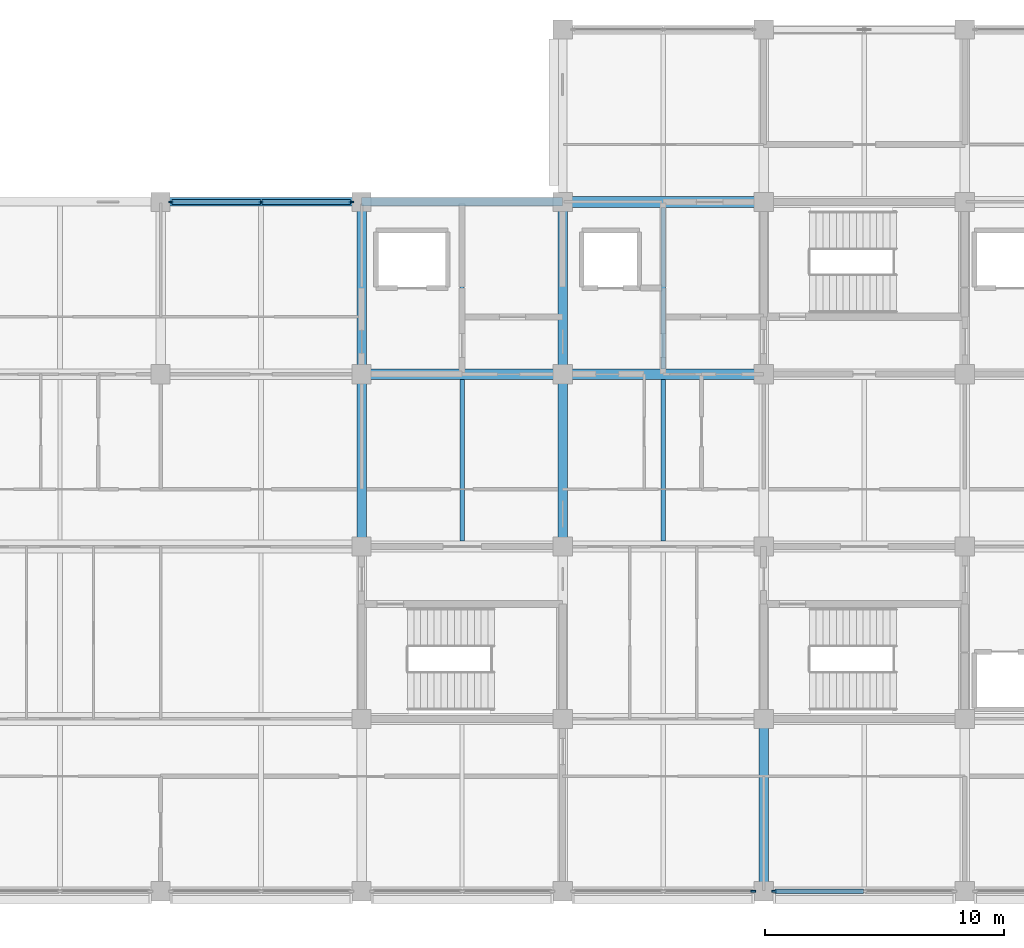
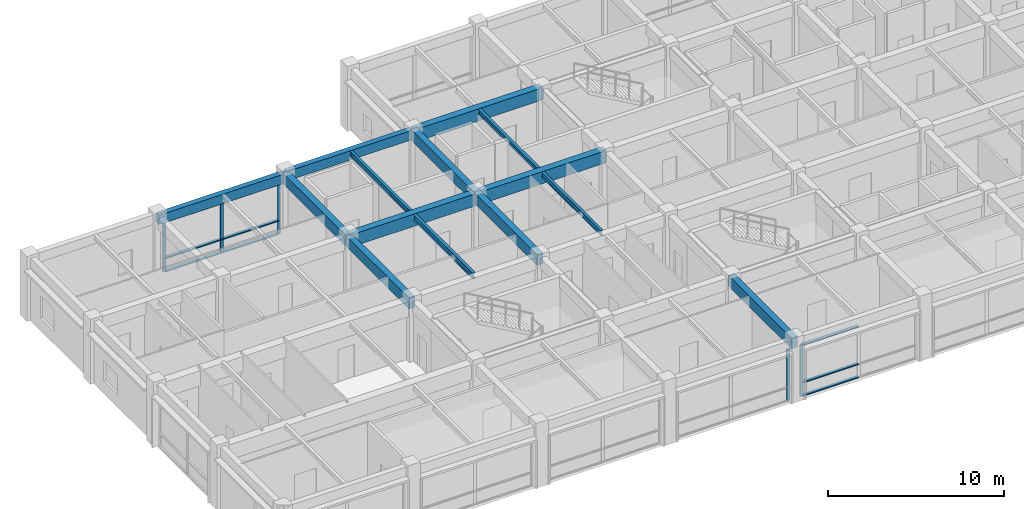
# One storey, part 4 of 30: 14 beams, 14 members, 3 elements without a shape of their own.
"""IFC4 building model written with IfcOpenShell, lengths in metres."""

from ifc_helpers import new_model, si_unit, direction, frame, origin, origin_2d, place, context, subcontext, project, spatial, rectangle, i_section, extrude, material, layer, layer_set, material_profile, profile_set, type_object, element, aggregate, save


model = new_model("IFC4")

# Units and contexts
model_context = context("Model", 3, precision=1e-05, world=origin(), true_north=direction((0.0, 1.0)))
body_context = subcontext(model_context, "Body", "Model", "MODEL_VIEW")
ifc_project = project(units=[si_unit("LENGTHUNIT", "METRE"), si_unit("AREAUNIT", "SQUARE_METRE"), si_unit("VOLUMEUNIT", "CUBIC_METRE"), si_unit("PLANEANGLEUNIT", "RADIAN"), si_unit("MASSUNIT", "GRAM", prefix="KILO")], contexts=[model_context])

# Site, building, storey
site_placement = place(None, origin())
site = spatial("IfcSite", under=ifc_project, at=site_placement, CompositionType="ELEMENT")
building_placement = place(site_placement, origin())
building = spatial("IfcBuilding", under=site, at=building_placement, Name="Chengyuan Square Courthouse", CompositionType="ELEMENT")
storey_placement = place(building_placement, frame((0.0, 0.0, 30.60009765625)))
storey = spatial("IfcBuildingStorey", under=building, at=storey_placement, Name="L07", CompositionType="ELEMENT", Elevation=30.60009765625)

# Beams
ifc_material_1 = material(Name="Concrete C40", Category="concrete")
ifc_material_profile_1 = material_profile(ifc_material_1, rectangle(XDim=0.449951171875, YDim=0.85009765625, at=origin_2d()), Name="RC-BM-450x850")
ifc_profile_set_1 = profile_set([ifc_material_profile_1], Name="Concrete C40")
beam_type_1 = type_object("IfcBeamType", Name="BM-01", PredefinedType="USERDEFINED", material=ifc_profile_set_1)
beam_1_placement = place(storey_placement, frame((42.0, 100.800048828125, 3.81494140625), z_axis=(1.0, 0.0, 0.0), x_axis=(0.0, 1.0, 0.0)))
element("IfcBeam", 1, at=beam_1_placement, inside=storey, type_object=beam_type_1, Name="Girder BM-L07-3617", ObjectType="GIRDER", PredefinedType="USERDEFINED", context=body_context, shape_type="SweptSolid", body=[
    extrude(rectangle(XDim=0.449951171875, YDim=0.85009765625, at=origin_2d()), origin(), (0.0, 0.0, 1.0), 8.39990234375),
])
for number, where, z_axis, x_axis, name in (
    (2, (50.39990234375, 100.800048828125, 3.81494140625), (1.0, 0.0, 0.0), (0.0, 1.0, 0.0), "Girder BM-L07-3618"),
    (3, (50.39990234375, 108.0, 3.81494140625), (1.0, 0.0, 0.0), (0.0, 1.0, 0.0), "Girder BM-L07-3632"),
):
    element("IfcBeam", number, at=place(storey_placement, frame(where, z_axis=z_axis, x_axis=x_axis)), inside=storey, type_object=beam_type_1, Name=name, ObjectType="GIRDER", PredefinedType="USERDEFINED", context=body_context, shape_type="SweptSolid", body=[
        extrude(rectangle(XDim=0.449951171875, YDim=0.85009765625, at=origin_2d()), origin(), (0.0, 0.0, 1.0), 8.400146484375),
    ])
ifc_material_profile_2 = material_profile(ifc_material_1, rectangle(XDim=0.39990234375, YDim=0.75, at=origin_2d()), Name="RC-BM-400x750")
ifc_profile_set_2 = profile_set([ifc_material_profile_2], Name="Concrete C40")
beam_type_2 = type_object("IfcBeamType", Name="BM-02", PredefinedType="USERDEFINED", material=ifc_profile_set_2)
for number, where, z_axis, x_axis, name in (
    (4, (42.0, 93.60009765625, 3.77490234375), (0.0, 1.0, 0.0), (-1.0, 0.0, 0.0), "Girder BM-L07-3658"),
    (5, (42.0, 100.800048828125, 3.77490234375), (0.0, 1.0, 0.0), (-1.0, 0.0, 0.0), "Girder BM-L07-3659"),
    (6, (50.39990234375, 93.60009765625, 3.864990234375), (0.0, 1.0, 0.0), (-1.0, 0.0, 0.0), "Girder BM-L07-3662"),
    (7, (50.39990234375, 100.800048828125, 3.864990234375), (0.0, 1.0, 0.0), (-1.0, 0.0, 0.0), "Girder BM-L07-3663"),
    (8, (58.800048828125, 79.199951171875, 3.864990234375), (0.0, 1.0, 0.0), (-1.0, 0.0, 0.0), "Girder BM-L07-3665"),
):
    element("IfcBeam", number, at=place(storey_placement, frame(where, z_axis=z_axis, x_axis=x_axis)), inside=storey, type_object=beam_type_2, Name=name, ObjectType="GIRDER", PredefinedType="USERDEFINED", context=body_context, shape_type="SweptSolid", body=[
        extrude(rectangle(XDim=0.39990234375, YDim=0.75, at=origin_2d()), origin(), (0.0, 0.0, 1.0), 7.199951171875),
    ])
ifc_material_profile_3 = material_profile(ifc_material_1, rectangle(XDim=0.35009765625, YDim=0.64990234375, at=origin_2d()), Name="RC-BM-350x650")
ifc_profile_set_3 = profile_set([ifc_material_profile_3], Name="Concrete C40")
beam_type_3 = type_object("IfcBeamType", Name="BM-03", PredefinedType="SPANDREL", material=ifc_profile_set_3)
for number, where, z_axis, x_axis, name in (
    (9, (33.60009765625, 108.0, 3.824951171875), (1.0, 0.0, 0.0), (0.0, 1.0, 0.0), "Girder BM-L07-3630"),
    (10, (42.0, 108.0, 3.914794921875), (1.0, 0.0, 0.0), (0.0, 1.0, 0.0), "Girder BM-L07-3631"),
):
    element("IfcBeam", number, at=place(storey_placement, frame(where, z_axis=z_axis, x_axis=x_axis)), inside=storey, type_object=beam_type_3, Name=name, PredefinedType="SPANDREL", context=body_context, shape_type="SweptSolid", body=[
        extrude(rectangle(XDim=0.35009765625, YDim=0.64990234375, at=origin_2d()), origin(), (0.0, 0.0, 1.0), 8.39990234375),
    ])
ifc_material_2 = material(Name="Steel Q355B", Category="steel")
ifc_material_profile_4 = material_profile(ifc_material_2, i_section(OverallWidth=0.199951171875, OverallDepth=0.39990234375, WebThickness=0.008056640625, FlangeThickness=0.012939453125, at=origin_2d()), Name="HN 400x200x8x13")
ifc_profile_set_4 = profile_set([ifc_material_profile_4], Name="Steel Q355B")
beam_type_4 = type_object("IfcBeamType", Name="BM-07", PredefinedType="BEAM", material=ifc_profile_set_4)
beam_2_placement = place(storey_placement, frame((46.199951171875, 93.824951171875, 4.039794921875), z_axis=(0.0, 1.0, 0.0), x_axis=(-1.0, 0.0, 0.0)))
element("IfcBeam", 11, at=beam_2_placement, inside=storey, type_object=beam_type_4, Name="Secondary Floor Beam SBM-L07-3723", PredefinedType="BEAM", context=body_context, shape_type="SweptSolid", body=[
    extrude(i_section(OverallWidth=0.199951171875, OverallDepth=0.39990234375, WebThickness=0.008056640625, FlangeThickness=0.012939453125, at=origin_2d()), origin(), (0.0, 0.0, 1.0), 6.75),
])
ifc_material_profile_5 = material_profile(ifc_material_2, i_section(OverallWidth=0.175048828125, OverallDepth=0.35009765625, WebThickness=0.007080078125, FlangeThickness=0.010986328125, at=origin_2d()), Name="HN 350x175x7x11")
ifc_profile_set_5 = profile_set([ifc_material_profile_5], Name="Steel Q355B")
beam_type_5 = type_object("IfcBeamType", Name="BM-08", PredefinedType="BEAM", material=ifc_profile_set_5)
beam_3_placement = place(storey_placement, frame((46.199951171875, 101.02490234375, 4.06494140625), z_axis=(0.0, 1.0, 0.0), x_axis=(-1.0, 0.0, 0.0)))
element("IfcBeam", 12, at=beam_3_placement, inside=storey, type_object=beam_type_5, Name="Secondary Floor Beam SBM-L07-3724", PredefinedType="BEAM", context=body_context, shape_type="SweptSolid", body=[
    extrude(i_section(OverallWidth=0.175048828125, OverallDepth=0.35009765625, WebThickness=0.007080078125, FlangeThickness=0.010986328125, at=origin_2d()), origin(), (0.0, 0.0, 1.0), 6.800048828125),
])
beam_4_placement = place(storey_placement, frame((54.60009765625, 93.824951171875, 4.06494140625), z_axis=(0.0, 1.0, 0.0), x_axis=(-1.0, 0.0, 0.0)))
element("IfcBeam", 13, at=beam_4_placement, inside=storey, type_object=beam_type_5, Name="Secondary Floor Beam SBM-L07-3727", PredefinedType="BEAM", context=body_context, shape_type="SweptSolid", body=[
    extrude(i_section(OverallWidth=0.175048828125, OverallDepth=0.35009765625, WebThickness=0.007080078125, FlangeThickness=0.010986328125, at=origin_2d()), origin(), (0.0, 0.0, 1.0), 6.75),
])
ifc_material_profile_6 = material_profile(ifc_material_2, i_section(OverallWidth=0.199951171875, OverallDepth=0.300048828125, WebThickness=0.008056640625, FlangeThickness=0.011962890625, at=origin_2d()), Name="HM 300x200x8x12")
ifc_profile_set_6 = profile_set([ifc_material_profile_6], Name="Steel Q355B")
beam_type_6 = type_object("IfcBeamType", Name="BM-09", PredefinedType="BEAM", material=ifc_profile_set_6)
beam_5_placement = place(storey_placement, frame((54.60009765625, 101.02490234375, 4.08984375), z_axis=(0.0, 1.0, 0.0), x_axis=(-1.0, 0.0, 0.0)))
element("IfcBeam", 14, at=beam_5_placement, inside=storey, type_object=beam_type_6, Name="Secondary Floor Beam SBM-L07-3728", PredefinedType="BEAM", context=body_context, shape_type="SweptSolid", body=[
    extrude(i_section(OverallWidth=0.199951171875, OverallDepth=0.300048828125, WebThickness=0.008056640625, FlangeThickness=0.011962890625, at=origin_2d()), origin(), (0.0, 0.0, 1.0), 6.75),
])

# Curtain wall, members
ifc_material_3 = material(Name="Unitised Aluminium and Triple Low-E Glass", Category="aluminium")
ifc_layer = layer(ifc_material_3, 0.199951171875)
ifc_layer_set = layer_set([ifc_layer], Name="Unitised Aluminium and Triple Low-E Glass")
curtain_wall_type = type_object("IfcCurtainWallType", Name="CW-19", PredefinedType="USERDEFINED", material=ifc_layer_set)
curtain_wall_1_placement = place(storey_placement, origin())
curtain_wall_1 = element("IfcCurtainWall", 15, at=curtain_wall_1_placement, inside=storey, type_object=curtain_wall_type, Name="Unitised Curtain Wall CW-L07-204", ObjectType="UNITISED CURTAIN WALL", PredefinedType="USERDEFINED")
ifc_material_4 = material(Name="Aluminium 6063-T6 Frame", Category="aluminium")
ifc_material_profile_7 = material_profile(ifc_material_4, rectangle(XDim=0.070068359375, YDim=0.199951171875, at=origin_2d()), Name="CW-MUL-70x200")
ifc_profile_set_7 = profile_set([ifc_material_profile_7], Name="Aluminium 6063-T6 Frame")
member_type_1 = type_object("IfcMemberType", Name="CWM-03", PredefinedType="MULLION", material=ifc_profile_set_7)
member_1_placement = place(storey_placement, frame((34.034912109375, 108.0, 0.0), z_axis=(0.0, 0.0, 1.0), x_axis=(0.0, 1.0, 0.0)))
member_1 = element("IfcMember", 16, at=member_1_placement, type_object=member_type_1, Name="CW-19 mullion 1", PredefinedType="MULLION", context=body_context, shape_type="SweptSolid", body=[
    extrude(rectangle(XDim=0.070068359375, YDim=0.199951171875, at=origin_2d()), origin(), (0.0, 0.0, 1.0), 3.5),
])
member_2_placement = place(storey_placement, frame((37.800048828125, 108.0, 0.0), z_axis=(0.0, 0.0, 1.0), x_axis=(0.0, 1.0, 0.0)))
member_2 = element("IfcMember", 17, at=member_2_placement, type_object=member_type_1, Name="CW-19 mullion 2", PredefinedType="MULLION", context=body_context, shape_type="SweptSolid", body=[
    extrude(rectangle(XDim=0.070068359375, YDim=0.199951171875, at=origin_2d()), origin(), (0.0, 0.0, 1.0), 3.5),
])
member_3_placement = place(storey_placement, frame((41.56494140625, 108.0, 0.0), z_axis=(0.0, 0.0, 1.0), x_axis=(0.0, 1.0, 0.0)))
member_3 = element("IfcMember", 18, at=member_3_placement, type_object=member_type_1, Name="CW-19 mullion 3", PredefinedType="MULLION", context=body_context, shape_type="SweptSolid", body=[
    extrude(rectangle(XDim=0.070068359375, YDim=0.199951171875, at=origin_2d()), origin(), (0.0, 0.0, 1.0), 3.5),
])

# Curtain wall, member
curtain_wall_2_placement = place(storey_placement, origin())
curtain_wall_2 = element("IfcCurtainWall", 19, at=curtain_wall_2_placement, inside=storey, type_object=curtain_wall_type, Name="Unitised Curtain Wall CW-L07-206", ObjectType="UNITISED CURTAIN WALL", PredefinedType="USERDEFINED")
member_4_placement = place(storey_placement, frame((58.364990234375, 79.199951171875, 0.0), z_axis=(0.0, 0.0, 1.0), x_axis=(0.0, 1.0, 0.0)))
member_4 = element("IfcMember", 20, at=member_4_placement, type_object=member_type_1, Name="CW-19 mullion 3", PredefinedType="MULLION", context=body_context, shape_type="SweptSolid", body=[
    extrude(rectangle(XDim=0.070068359375, YDim=0.199951171875, at=origin_2d()), origin(), (0.0, 0.0, 1.0), 3.58984375),
])
aggregate(curtain_wall_2, [member_4])

curtain_wall_3_placement = place(storey_placement, origin())
curtain_wall_3 = element("IfcCurtainWall", 21, at=curtain_wall_3_placement, inside=storey, type_object=curtain_wall_type, Name="Unitised Curtain Wall CW-L07-208", ObjectType="UNITISED CURTAIN WALL", PredefinedType="USERDEFINED")
member_5_placement = place(storey_placement, frame((59.235107421875, 79.199951171875, 0.0), z_axis=(0.0, 0.0, 1.0), x_axis=(0.0, 1.0, 0.0)))
member_5 = element("IfcMember", 22, at=member_5_placement, type_object=member_type_1, Name="CW-19 mullion 1", PredefinedType="MULLION", context=body_context, shape_type="SweptSolid", body=[
    extrude(rectangle(XDim=0.070068359375, YDim=0.199951171875, at=origin_2d()), origin(), (0.0, 0.0, 1.0), 3.58984375),
])

# Member
ifc_material_profile_8 = material_profile(ifc_material_4, rectangle(XDim=0.199951171875, YDim=0.070068359375, at=origin_2d()), Name="CW-TRN-70x160")
ifc_profile_set_8 = profile_set([ifc_material_profile_8], Name="Aluminium 6063-T6 Frame")
member_type_2 = type_object("IfcMemberType", Name="CWT-03", PredefinedType="USERDEFINED", material=ifc_profile_set_8)
member_6_placement = place(storey_placement, frame((34.070068359375, 108.0, 0.034912109375), z_axis=(1.0, 0.0, 0.0), x_axis=(0.0, 1.0, 0.0)))
member_6 = element("IfcMember", 23, at=member_6_placement, type_object=member_type_2, Name="CW-19 transom 1.1", ObjectType="TRANSOM", PredefinedType="USERDEFINED", context=body_context, shape_type="SweptSolid", body=[
    extrude(rectangle(XDim=0.199951171875, YDim=0.070068359375, at=origin_2d()), origin(), (0.0, 0.0, 1.0), 3.69482421875),
])

member_7_placement = place(storey_placement, frame((34.070068359375, 108.0, 0.949951171875), z_axis=(1.0, 0.0, 0.0), x_axis=(0.0, 1.0, 0.0)))
member_7 = element("IfcMember", 24, at=member_7_placement, type_object=member_type_2, Name="CW-19 transom 1.2", ObjectType="TRANSOM", PredefinedType="USERDEFINED", context=body_context, shape_type="SweptSolid", body=[
    extrude(rectangle(XDim=0.199951171875, YDim=0.070068359375, at=origin_2d()), origin(), (0.0, 0.0, 1.0), 3.69482421875),
])

member_8_placement = place(storey_placement, frame((34.070068359375, 108.0, 3.46484375), z_axis=(1.0, 0.0, 0.0), x_axis=(0.0, 1.0, 0.0)))
member_8 = element("IfcMember", 25, at=member_8_placement, type_object=member_type_2, Name="CW-19 transom 1.3", ObjectType="TRANSOM", PredefinedType="USERDEFINED", context=body_context, shape_type="SweptSolid", body=[
    extrude(rectangle(XDim=0.199951171875, YDim=0.070068359375, at=origin_2d()), origin(), (0.0, 0.0, 1.0), 3.69482421875),
])

member_9_placement = place(storey_placement, frame((37.8349609375, 108.0, 0.034912109375), z_axis=(1.0, 0.0, 0.0), x_axis=(0.0, 1.0, 0.0)))
member_9 = element("IfcMember", 26, at=member_9_placement, type_object=member_type_2, Name="CW-19 transom 2.1", ObjectType="TRANSOM", PredefinedType="USERDEFINED", context=body_context, shape_type="SweptSolid", body=[
    extrude(rectangle(XDim=0.199951171875, YDim=0.070068359375, at=origin_2d()), origin(), (0.0, 0.0, 1.0), 3.695068359375),
])

member_10_placement = place(storey_placement, frame((37.8349609375, 108.0, 0.949951171875), z_axis=(1.0, 0.0, 0.0), x_axis=(0.0, 1.0, 0.0)))
member_10 = element("IfcMember", 27, at=member_10_placement, type_object=member_type_2, Name="CW-19 transom 2.2", ObjectType="TRANSOM", PredefinedType="USERDEFINED", context=body_context, shape_type="SweptSolid", body=[
    extrude(rectangle(XDim=0.199951171875, YDim=0.070068359375, at=origin_2d()), origin(), (0.0, 0.0, 1.0), 3.695068359375),
])

member_11_placement = place(storey_placement, frame((37.8349609375, 108.0, 3.46484375), z_axis=(1.0, 0.0, 0.0), x_axis=(0.0, 1.0, 0.0)))
member_11 = element("IfcMember", 28, at=member_11_placement, type_object=member_type_2, Name="CW-19 transom 2.3", ObjectType="TRANSOM", PredefinedType="USERDEFINED", context=body_context, shape_type="SweptSolid", body=[
    extrude(rectangle(XDim=0.199951171875, YDim=0.070068359375, at=origin_2d()), origin(), (0.0, 0.0, 1.0), 3.695068359375),
])

aggregate(curtain_wall_1, [member_1, member_2, member_3, member_6, member_7, member_8, member_9, member_10, member_11])

member_12_placement = place(storey_placement, frame((59.27001953125, 79.199951171875, 0.034912109375), z_axis=(1.0, 0.0, 0.0), x_axis=(0.0, 1.0, 0.0)))
member_12 = element("IfcMember", 29, at=member_12_placement, type_object=member_type_2, Name="CW-19 transom 1.1", ObjectType="TRANSOM", PredefinedType="USERDEFINED", context=body_context, shape_type="SweptSolid", body=[
    extrude(rectangle(XDim=0.199951171875, YDim=0.070068359375, at=origin_2d()), origin(), (0.0, 0.0, 1.0), 3.695068359375),
])

member_13_placement = place(storey_placement, frame((59.27001953125, 79.199951171875, 0.949951171875), z_axis=(1.0, 0.0, 0.0), x_axis=(0.0, 1.0, 0.0)))
member_13 = element("IfcMember", 30, at=member_13_placement, type_object=member_type_2, Name="CW-19 transom 1.2", ObjectType="TRANSOM", PredefinedType="USERDEFINED", context=body_context, shape_type="SweptSolid", body=[
    extrude(rectangle(XDim=0.199951171875, YDim=0.070068359375, at=origin_2d()), origin(), (0.0, 0.0, 1.0), 3.695068359375),
])

member_14_placement = place(storey_placement, frame((59.27001953125, 79.199951171875, 3.554931640625), z_axis=(1.0, 0.0, 0.0), x_axis=(0.0, 1.0, 0.0)))
member_14 = element("IfcMember", 31, at=member_14_placement, type_object=member_type_2, Name="CW-19 transom 1.3", ObjectType="TRANSOM", PredefinedType="USERDEFINED", context=body_context, shape_type="SweptSolid", body=[
    extrude(rectangle(XDim=0.199951171875, YDim=0.070068359375, at=origin_2d()), origin(), (0.0, 0.0, 1.0), 3.695068359375),
])

aggregate(curtain_wall_3, [member_5, member_12, member_13, member_14])

save(model, "model.ifc")
